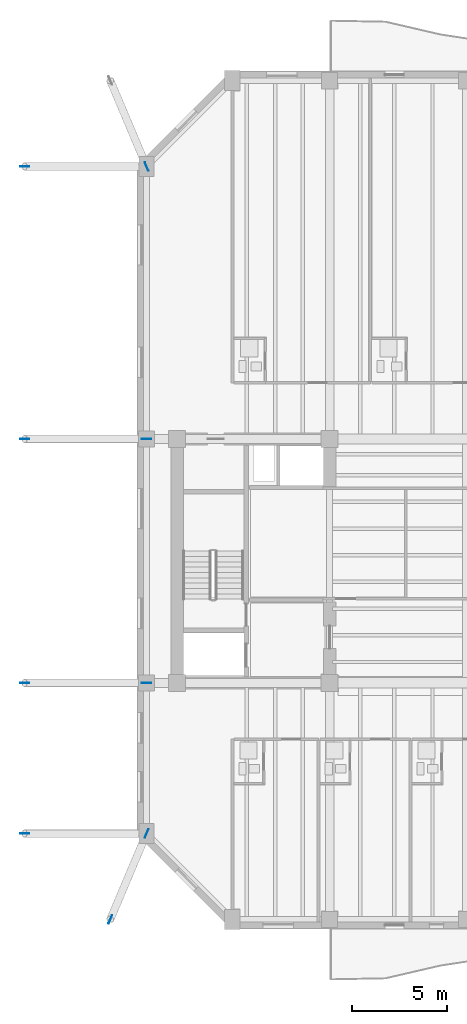
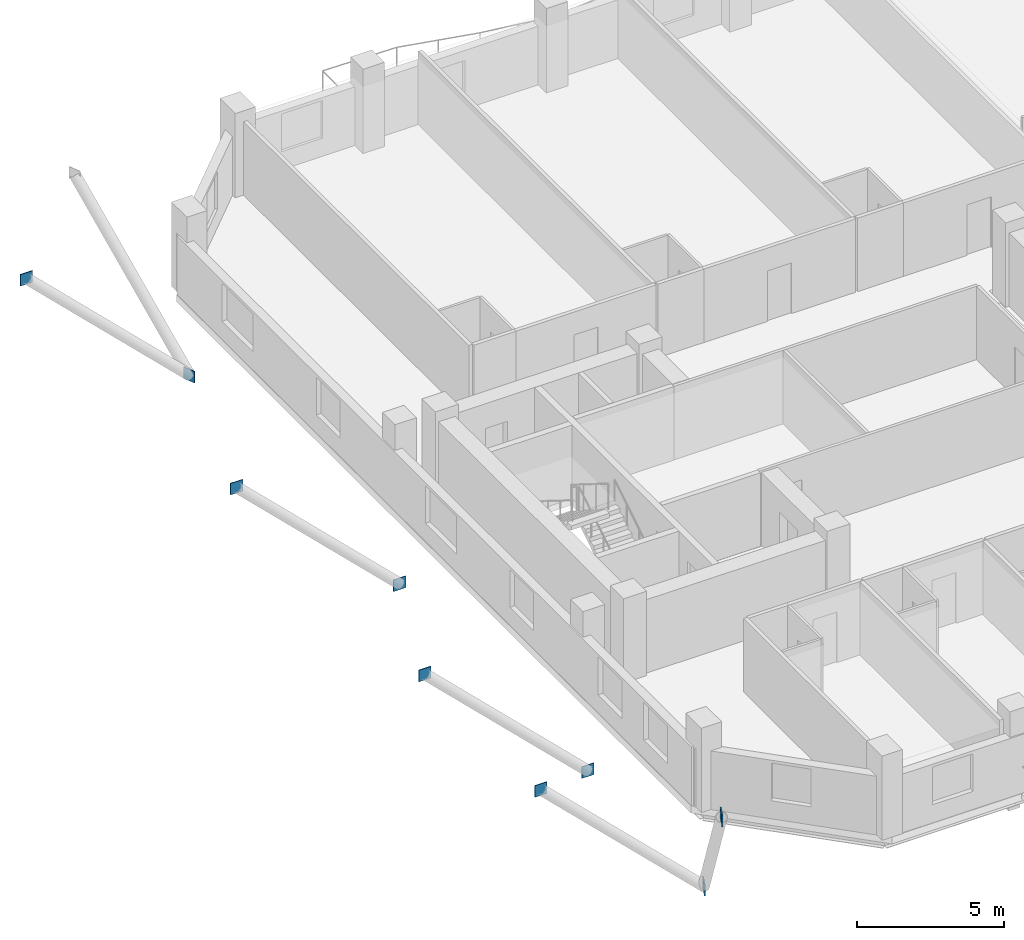
# One storey, part 3 of 13: 9 plates.
"""IFC4 building model written with IfcOpenShell, lengths in metres."""

from ifc_helpers import new_model, si_unit, direction, frame, origin, origin_2d, place, context, subcontext, project, spatial, rectangle, extrude, material, layer, layer_set, type_object, element, save


model = new_model("IFC4")

# Units and contexts
model_context = context("Model", 3, precision=1e-05, world=origin(), true_north=direction((0.0, 1.0)))
body_context = subcontext(model_context, "Body", "Model", "MODEL_VIEW")
ifc_project = project(units=[si_unit("LENGTHUNIT", "METRE"), si_unit("AREAUNIT", "SQUARE_METRE"), si_unit("VOLUMEUNIT", "CUBIC_METRE"), si_unit("PLANEANGLEUNIT", "RADIAN"), si_unit("MASSUNIT", "GRAM", prefix="KILO")], contexts=[model_context])

# Site, building, storey
site_placement = place(None, origin())
site = spatial("IfcSite", under=ifc_project, at=site_placement, CompositionType="ELEMENT")
building_placement = place(site_placement, origin())
building = spatial("IfcBuilding", under=site, at=building_placement, Name="Kranthara Brick Stack", CompositionType="ELEMENT")
storey_placement = place(building_placement, frame((0.0, 0.0, 179.800048828125)))
storey = spatial("IfcBuildingStorey", under=building, at=storey_placement, Name="L46", CompositionType="ELEMENT", Elevation=179.800048828125)

# Plates
ifc_material = material(Name="Steel S355", Category="steel")
ifc_layer = layer(ifc_material, 0.030029296875)
ifc_layer_set = layer_set([ifc_layer], Name="Steel S355")
plate_type = type_object("IfcPlateType", Name="PLT-GUSSET-30", PredefinedType="USERDEFINED", material=ifc_layer_set)
for number, where, z_axis, x_axis, name in (
    (1, (11.199951171875, 12.89990234375, -3.739990234375), (0.0, 0.0, 1.0), (0.38912395014, 0.921185405566, 0.0), "L46 Brace and Strut End Connection Gusset Plate 079"),
    (2, (9.300048828125, 8.39990234375, 2.510009765625), (0.0, 0.0, 1.0), (0.38912395014, 0.921185405566, 0.0), "L46 Brace and Strut End Connection Gusset Plate 080"),
    (3, (11.199951171875, 47.89990234375, -3.739990234375), (0.0, 0.0, 1.0), (-0.38912395014, 0.921185405566, 0.0), "L46 Brace and Strut End Connection Gusset Plate 081"),
    (4, (4.800048828125, 12.89990234375, 2.510009765625), (0.0, 0.0, 1.0), (1.0, 0.0, 0.0), "L46 Brace and Strut End Connection Gusset Plate 083"),
    (5, (11.199951171875, 20.800048828125, -3.739990234375), (0.0, 0.0, 1.0), (1.0, 0.0, 0.0), "L46 Brace and Strut End Connection Gusset Plate 084"),
    (6, (4.800048828125, 20.800048828125, 2.510009765625), (0.0, 0.0, 1.0), (1.0, 0.0, 0.0), "L46 Brace and Strut End Connection Gusset Plate 085"),
    (7, (11.199951171875, 33.60009765625, -3.739990234375), (0.0, 0.0, 1.0), (1.0, 0.0, 0.0), "L46 Brace and Strut End Connection Gusset Plate 086"),
    (8, (4.800048828125, 33.60009765625, 2.510009765625), (0.0, 0.0, 1.0), (1.0, 0.0, 0.0), "L46 Brace and Strut End Connection Gusset Plate 087"),
    (9, (4.800048828125, 47.89990234375, 2.510009765625), (0.0, 0.0, 1.0), (1.0, 0.0, 0.0), "L46 Brace and Strut End Connection Gusset Plate 088"),
):
    element("IfcPlate", number, at=place(storey_placement, frame(where, z_axis=z_axis, x_axis=x_axis)), inside=storey, type_object=plate_type, Name=name, ObjectType="GUSSET PLATE", PredefinedType="USERDEFINED", context=body_context, shape_type="SweptSolid", body=[
        extrude(rectangle(XDim=0.47998046875, YDim=0.030029296875, at=origin_2d()), origin(), (0.0, 0.0, 1.0), 0.47998046875),
    ])

save(model, "model.ifc")
